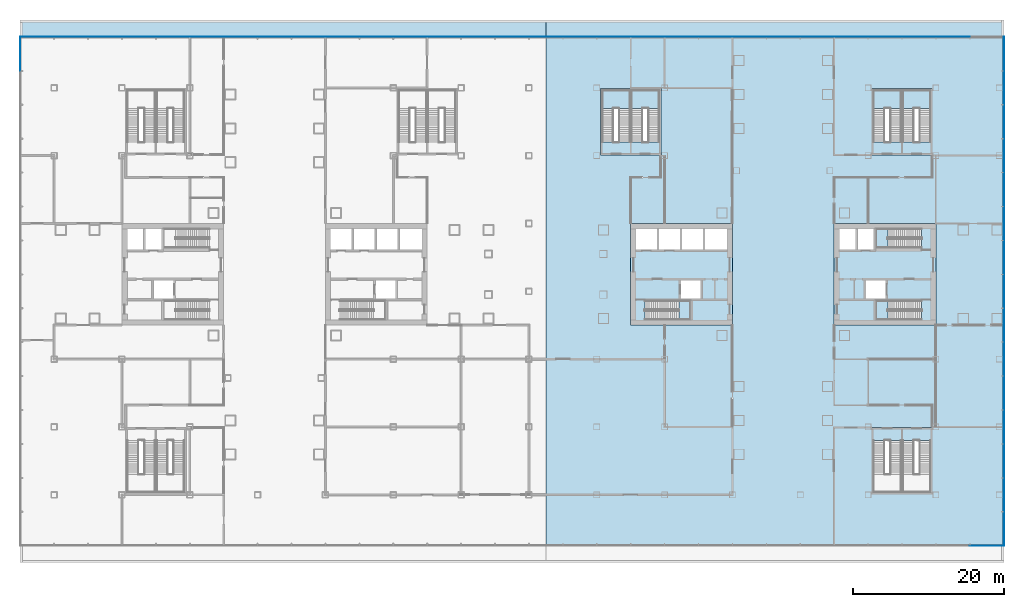
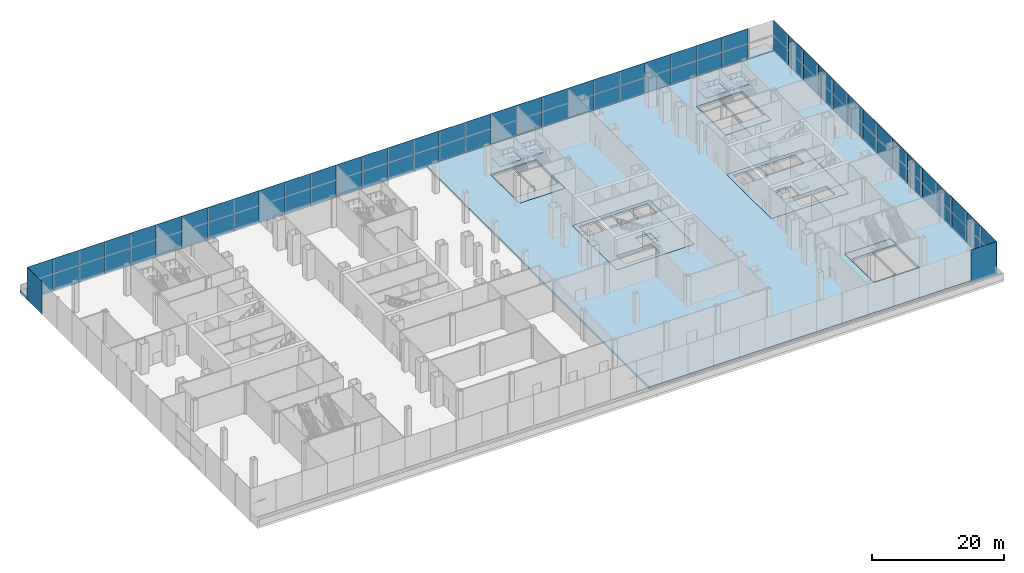
# One storey, part 20 of 38: 45 plates, 15 slabs, 11 elements without a shape of their own.
"""IFC4 building model written with IfcOpenShell, lengths in metres."""

from ifc_helpers import new_model, si_unit, direction, frame, origin, origin_2d, place, context, subcontext, project, spatial, polyline, rectangle, outline, extrude, material, layer, layer_set, type_object, element, aggregate, save


model = new_model("IFC4")

# Units and contexts
model_context = context("Model", 3, precision=1e-05, world=origin(), true_north=direction((0.0, 1.0)))
body_context = subcontext(model_context, "Body", "Model", "MODEL_VIEW")
ifc_project = project(units=[si_unit("LENGTHUNIT", "METRE"), si_unit("AREAUNIT", "SQUARE_METRE"), si_unit("VOLUMEUNIT", "CUBIC_METRE"), si_unit("PLANEANGLEUNIT", "RADIAN"), si_unit("MASSUNIT", "GRAM", prefix="KILO")], contexts=[model_context])

# Site, building, storey
site_placement = place(None, origin())
site = spatial("IfcSite", under=ifc_project, at=site_placement, CompositionType="ELEMENT")
building_placement = place(site_placement, origin())
building = spatial("IfcBuilding", under=site, at=building_placement, Name="Shamsa Quay Exchange Towers", CompositionType="ELEMENT")
storey_placement = place(building_placement, frame((0.0, 0.0, 12.5)))
storey = spatial("IfcBuildingStorey", under=building, at=storey_placement, Name="L02", CompositionType="ELEMENT", Elevation=12.5)

# Slabs
ifc_material_1 = material(Name="Concrete C50/60", Category="concrete")
ifc_layer_1 = layer(ifc_material_1, 0.39990234375)
ifc_layer_set_1 = layer_set([ifc_layer_1], Name="CORE FLOOR 400 C50/60")
slab_type_1 = type_object("IfcSlabType", Name="CORE FLOOR 400 C50/60", PredefinedType="FLOOR", material=ifc_layer_set_1)
slab_1_placement = place(storey_placement, frame((0.0, 0.0, -0.39990234375)))
element("IfcSlab", 1, at=slab_1_placement, inside=storey, type_object=slab_type_1, Name="Core floor T2A", PredefinedType="FLOOR", context=body_context, shape_type="SweptSolid", body=[
    extrude(outline(polyline([(13.5, -6.75), (27.0, -6.75), (27.0, 6.75), (13.5, 6.75), (13.5, -6.75)]), holes=[polyline([(15.400634765625, -6.050048828125), (15.400634765625, -3.5), (21.5, -3.5), (21.5, -6.050048828125), (15.400634765625, -6.050048828125)]), polyline([(14.199951171875, 3.25), (14.199951171875, 6.050048828125), (17.0, 6.050048828125), (17.0, 3.25), (14.199951171875, 3.25)]), polyline([(17.25, 3.25), (17.25, 6.050048828125), (20.050048828125, 6.050048828125), (20.050048828125, 3.25), (17.25, 3.25)]), polyline([(20.300048828125, 3.25), (20.300048828125, 6.050048828125), (23.10009765625, 6.050048828125), (23.10009765625, 3.25), (20.300048828125, 3.25)]), polyline([(23.35009765625, 3.25), (23.35009765625, 6.050048828125), (26.300048828125, 6.050048828125), (26.300048828125, 3.25), (23.35009765625, 3.25)]), polyline([(20.14990234375, -3.25), (20.14990234375, -0.75), (22.800048828125, -0.75), (22.800048828125, -3.25), (20.14990234375, -3.25)])]), origin(), (0.0, 0.0, 1.0), 0.39990234375),
])
slab_2_placement = place(storey_placement, frame((0.0, 0.0, -0.39990234375)))
element("IfcSlab", 2, at=slab_2_placement, inside=storey, type_object=slab_type_1, Name="Core floor T2B", PredefinedType="FLOOR", context=body_context, shape_type="SweptSolid", body=[
    extrude(outline(polyline([(54.0, -6.75), (54.0, 6.75), (40.5, 6.75), (40.5, -6.75), (54.0, -6.75)]), holes=[polyline([(52.099365234375, -3.5), (52.099365234375, -6.050048828125), (46.0, -6.050048828125), (46.0, -3.5), (52.099365234375, -3.5)]), polyline([(52.099365234375, 6.050048828125), (52.099365234375, 3.5), (46.0, 3.5), (46.0, 6.050048828125), (52.099365234375, 6.050048828125)]), polyline([(45.75, 3.25), (43.60009765625, 3.25), (43.60009765625, 6.050048828125), (45.75, 6.050048828125), (45.75, 3.25)]), polyline([(43.35009765625, 3.25), (41.199951171875, 3.25), (41.199951171875, 6.050048828125), (43.35009765625, 6.050048828125), (43.35009765625, 3.25)]), polyline([(47.35009765625, -3.25), (44.699951171875, -3.25), (44.699951171875, -0.75), (47.35009765625, -0.75), (47.35009765625, -3.25)])]), origin(), (0.0, 0.0, 1.0), 0.39990234375),
])
slab_3_placement = place(storey_placement, frame((0.0, 0.0, -0.39990234375)))
element("IfcSlab", 3, at=slab_3_placement, inside=storey, type_object=slab_type_1, Name="Stair floor PS3", PredefinedType="FLOOR", context=body_context, shape_type="SweptSolid", body=[
    extrude(outline(polyline([(9.5, 15.85009765625), (17.5, 15.85009765625), (17.5, 24.64990234375), (9.5, 24.64990234375), (9.5, 15.85009765625)]), holes=[polyline([(13.425048828125, 17.55078125), (9.699951171875, 17.55078125), (9.699951171875, 24.449951171875), (13.425048828125, 24.449951171875), (13.425048828125, 17.55078125)]), polyline([(17.300048828125, 17.55078125), (13.574951171875, 17.55078125), (13.574951171875, 24.449951171875), (17.300048828125, 24.449951171875), (17.300048828125, 17.55078125)])]), origin(), (0.0, 0.0, 1.0), 0.39990234375),
])
slab_4_placement = place(storey_placement, frame((0.0, 0.0, -0.39990234375)))
element("IfcSlab", 4, at=slab_4_placement, inside=storey, type_object=slab_type_1, Name="Stair floor PS4", PredefinedType="FLOOR", context=body_context, shape_type="SweptSolid", body=[
    extrude(outline(polyline([(45.5, 15.85009765625), (53.5, 15.85009765625), (53.5, 24.64990234375), (45.5, 24.64990234375), (45.5, 15.85009765625)]), holes=[polyline([(49.425048828125, 17.55078125), (45.699951171875, 17.55078125), (45.699951171875, 24.449951171875), (49.425048828125, 24.449951171875), (49.425048828125, 17.55078125)]), polyline([(53.300048828125, 17.55078125), (49.574951171875, 17.55078125), (49.574951171875, 24.449951171875), (53.300048828125, 24.449951171875), (53.300048828125, 17.55078125)])]), origin(), (0.0, 0.0, 1.0), 0.39990234375),
])
slab_5_placement = place(storey_placement, frame((0.0, 0.0, -0.39990234375)))
element("IfcSlab", 5, at=slab_5_placement, inside=storey, type_object=slab_type_1, Name="Stair floor PS6", PredefinedType="FLOOR", context=body_context, shape_type="SweptSolid", body=[
    extrude(outline(polyline([(45.5, -29.14990234375), (53.5, -29.14990234375), (53.5, -20.35009765625), (45.5, -20.35009765625), (45.5, -29.14990234375)]), holes=[polyline([(45.699951171875, -22.05078125), (49.425048828125, -22.05078125), (49.425048828125, -28.949951171875), (45.699951171875, -28.949951171875), (45.699951171875, -22.05078125)]), polyline([(49.574951171875, -22.05078125), (53.300048828125, -22.05078125), (53.300048828125, -28.949951171875), (49.574951171875, -28.949951171875), (49.574951171875, -22.05078125)])]), origin(), (0.0, 0.0, 1.0), 0.39990234375),
])

# Stair, slab
ifc_material_2 = material(Name="Concrete C40/50", Category="concrete")
stair_type_1 = type_object("IfcStairType", Name="EXIT STAIR 34 RISERS 176 MM", PredefinedType="HALF_TURN_STAIR", material=ifc_material_2)
stair_1_placement = place(storey_placement, origin())
stair_1 = element("IfcStair", 6, at=stair_1_placement, inside=storey, type_object=stair_type_1, Name="L02 Exit stair ST4", PredefinedType="HALF_TURN_STAIR")
ifc_layer_2 = layer(ifc_material_2, 0.199951171875)
ifc_layer_set_2 = layer_set([ifc_layer_2], Name="CORE STAIR LANDING")
slab_type_2 = type_object("IfcSlabType", Name="CORE STAIR LANDING", PredefinedType="LANDING", material=ifc_layer_set_2)
slab_6_placement = place(storey_placement, frame((0.0, 0.0, 2.800048828125)))
slab_6 = element("IfcSlab", 7, at=slab_6_placement, type_object=slab_type_2, Name="ST4 landing 1", PredefinedType="LANDING", context=body_context, shape_type="SweptSolid", body=[
    extrude(outline(polyline([(19.8798828125, -6.050048828125), (21.5, -6.050048828125), (21.5, -3.5), (19.8798828125, -3.5), (19.8798828125, -6.050048828125)])), origin(), (0.0, 0.0, 1.0), 0.199951171875),
])
aggregate(stair_1, [slab_6])

stair_2_placement = place(storey_placement, origin())
stair_2 = element("IfcStair", 8, at=stair_2_placement, inside=storey, type_object=stair_type_1, Name="L02 Exit stair ST5", PredefinedType="HALF_TURN_STAIR")
slab_7_placement = place(storey_placement, frame((0.0, 0.0, 2.800048828125)))
slab_7 = element("IfcSlab", 9, at=slab_7_placement, type_object=slab_type_2, Name="ST5 landing 1", PredefinedType="LANDING", context=body_context, shape_type="SweptSolid", body=[
    extrude(outline(polyline([(47.6201171875, -3.5), (46.0, -3.5), (46.0, -6.050048828125), (47.6201171875, -6.050048828125), (47.6201171875, -3.5)])), origin(), (0.0, 0.0, 1.0), 0.199951171875),
])
aggregate(stair_2, [slab_7])

stair_3_placement = place(storey_placement, origin())
stair_3 = element("IfcStair", 10, at=stair_3_placement, inside=storey, type_object=stair_type_1, Name="L02 Exit stair ST6", PredefinedType="HALF_TURN_STAIR")
slab_8_placement = place(storey_placement, frame((0.0, 0.0, 2.800048828125)))
slab_8 = element("IfcSlab", 11, at=slab_8_placement, type_object=slab_type_2, Name="ST6 landing 1", PredefinedType="LANDING", context=body_context, shape_type="SweptSolid", body=[
    extrude(outline(polyline([(47.6201171875, 6.050048828125), (46.0, 6.050048828125), (46.0, 3.5), (47.6201171875, 3.5), (47.6201171875, 6.050048828125)])), origin(), (0.0, 0.0, 1.0), 0.199951171875),
])
aggregate(stair_3, [slab_8])

stair_type_2 = type_object("IfcStairType", Name="PODIUM EXIT STAIR 34 RISERS 176 MM 1500 WIDE", PredefinedType="HALF_TURN_STAIR", material=ifc_material_2)
stair_4_placement = place(storey_placement, origin())
stair_4 = element("IfcStair", 12, at=stair_4_placement, inside=storey, type_object=stair_type_2, Name="L02 Exit stair PS3A", PredefinedType="HALF_TURN_STAIR")
slab_9_placement = place(storey_placement, frame((0.0, 0.0, 2.800048828125)))
slab_9 = element("IfcSlab", 13, at=slab_9_placement, type_object=slab_type_2, Name="PS3A landing 1", PredefinedType="LANDING", context=body_context, shape_type="SweptSolid", body=[
    extrude(outline(polyline([(13.425048828125, 22.030029296875), (13.425048828125, 24.449951171875), (9.699951171875, 24.449951171875), (9.699951171875, 22.030029296875), (13.425048828125, 22.030029296875)])), origin(), (0.0, 0.0, 1.0), 0.199951171875),
])
aggregate(stair_4, [slab_9])

stair_5_placement = place(storey_placement, origin())
stair_5 = element("IfcStair", 14, at=stair_5_placement, inside=storey, type_object=stair_type_2, Name="L02 Exit stair PS3B", PredefinedType="HALF_TURN_STAIR")
slab_10_placement = place(storey_placement, frame((0.0, 0.0, 2.800048828125)))
slab_10 = element("IfcSlab", 15, at=slab_10_placement, type_object=slab_type_2, Name="PS3B landing 1", PredefinedType="LANDING", context=body_context, shape_type="SweptSolid", body=[
    extrude(outline(polyline([(17.300048828125, 22.030029296875), (17.300048828125, 24.449951171875), (13.574951171875, 24.449951171875), (13.574951171875, 22.030029296875), (17.300048828125, 22.030029296875)])), origin(), (0.0, 0.0, 1.0), 0.199951171875),
])
aggregate(stair_5, [slab_10])

stair_6_placement = place(storey_placement, origin())
stair_6 = element("IfcStair", 16, at=stair_6_placement, inside=storey, type_object=stair_type_2, Name="L02 Exit stair PS4A", PredefinedType="HALF_TURN_STAIR")
slab_11_placement = place(storey_placement, frame((0.0, 0.0, 2.800048828125)))
slab_11 = element("IfcSlab", 17, at=slab_11_placement, type_object=slab_type_2, Name="PS4A landing 1", PredefinedType="LANDING", context=body_context, shape_type="SweptSolid", body=[
    extrude(outline(polyline([(49.425048828125, 22.030029296875), (49.425048828125, 24.449951171875), (45.699951171875, 24.449951171875), (45.699951171875, 22.030029296875), (49.425048828125, 22.030029296875)])), origin(), (0.0, 0.0, 1.0), 0.199951171875),
])
aggregate(stair_6, [slab_11])

stair_7_placement = place(storey_placement, origin())
stair_7 = element("IfcStair", 18, at=stair_7_placement, inside=storey, type_object=stair_type_2, Name="L02 Exit stair PS4B", PredefinedType="HALF_TURN_STAIR")
slab_12_placement = place(storey_placement, frame((0.0, 0.0, 2.800048828125)))
slab_12 = element("IfcSlab", 19, at=slab_12_placement, type_object=slab_type_2, Name="PS4B landing 1", PredefinedType="LANDING", context=body_context, shape_type="SweptSolid", body=[
    extrude(outline(polyline([(53.300048828125, 22.030029296875), (53.300048828125, 24.449951171875), (49.574951171875, 24.449951171875), (49.574951171875, 22.030029296875), (53.300048828125, 22.030029296875)])), origin(), (0.0, 0.0, 1.0), 0.199951171875),
])
aggregate(stair_7, [slab_12])

# Curtain wall, plates
ifc_material_3 = material(Name="Aluminium EN AW-6063 T6, black anodised", Category="aluminium")
ifc_layer_3 = layer(ifc_material_3, 0.33203125)
ifc_layer_set_3 = layer_set([ifc_layer_3], Name="CW-3 PODIUM SHOPFRONT GLAZING")
curtain_wall_type = type_object("IfcCurtainWallType", Name="CW-3 PODIUM SHOPFRONT GLAZING", PredefinedType="NOTDEFINED", material=ifc_layer_set_3)
curtain_wall_1_placement = place(storey_placement, origin())
curtain_wall_1 = element("IfcCurtainWall", 20, at=curtain_wall_1_placement, inside=storey, type_object=curtain_wall_type, Name="CW3 PODIUM-L02-F00", PredefinedType="NOTDEFINED")
ifc_material_4 = material(Name="Glass, laminated, impact rated, clear low iron", Category="glass")
ifc_layer_4 = layer(ifc_material_4, 0.031982421875)
ifc_layer_set_4 = layer_set([ifc_layer_4], Name="CW-3 SHOPFRONT GLASS 32")
plate_type = type_object("IfcPlateType", Name="CW-3 SHOPFRONT GLASS 32", PredefinedType="CURTAIN_PANEL", material=ifc_layer_set_4)
plate_1_placement = place(storey_placement, frame((63.01611328125, -33.75244140625, -0.35009765625), z_axis=(0.0, 0.0, 1.0), x_axis=(0.0, 1.0, 0.0)))
plate_1 = element("IfcPlate", 21, at=plate_1_placement, type_object=plate_type, Name="CW3 glass panel", PredefinedType="CURTAIN_PANEL", context=body_context, shape_type="SweptSolid", body=[
    extrude(rectangle(XDim=4.4951171875, YDim=0.031982421875, at=origin_2d()), origin(), (0.0, 0.0, 1.0), 6.0),
])
plate_2_placement = place(storey_placement, frame((63.01611328125, -29.25, -0.35009765625), z_axis=(0.0, 0.0, 1.0), x_axis=(0.0, 1.0, 0.0)))
plate_2 = element("IfcPlate", 22, at=plate_2_placement, type_object=plate_type, Name="CW3 glass panel", PredefinedType="CURTAIN_PANEL", context=body_context, shape_type="SweptSolid", body=[
    extrude(rectangle(XDim=4.489990234375, YDim=0.031982421875, at=origin_2d()), origin(), (0.0, 0.0, 1.0), 6.0),
])
plate_3_placement = place(storey_placement, frame((63.01611328125, -24.75, -0.35009765625), z_axis=(0.0, 0.0, 1.0), x_axis=(0.0, 1.0, 0.0)))
plate_3 = element("IfcPlate", 23, at=plate_3_placement, type_object=plate_type, Name="CW3 glass panel", PredefinedType="CURTAIN_PANEL", context=body_context, shape_type="SweptSolid", body=[
    extrude(rectangle(XDim=4.489990234375, YDim=0.031982421875, at=origin_2d()), origin(), (0.0, 0.0, 1.0), 6.0),
])
plate_4_placement = place(storey_placement, frame((63.01611328125, -20.25, -0.35009765625), z_axis=(0.0, 0.0, 1.0), x_axis=(0.0, 1.0, 0.0)))
plate_4 = element("IfcPlate", 24, at=plate_4_placement, type_object=plate_type, Name="CW3 glass panel", PredefinedType="CURTAIN_PANEL", context=body_context, shape_type="SweptSolid", body=[
    extrude(rectangle(XDim=4.489990234375, YDim=0.031982421875, at=origin_2d()), origin(), (0.0, 0.0, 1.0), 6.0),
])
plate_5_placement = place(storey_placement, frame((63.01611328125, -15.75, -0.35009765625), z_axis=(0.0, 0.0, 1.0), x_axis=(0.0, 1.0, 0.0)))
plate_5 = element("IfcPlate", 25, at=plate_5_placement, type_object=plate_type, Name="CW3 glass panel", PredefinedType="CURTAIN_PANEL", context=body_context, shape_type="SweptSolid", body=[
    extrude(rectangle(XDim=4.489990234375, YDim=0.031982421875, at=origin_2d()), origin(), (0.0, 0.0, 1.0), 6.0),
])
plate_6_placement = place(storey_placement, frame((63.01611328125, -11.25, -0.35009765625), z_axis=(0.0, 0.0, 1.0), x_axis=(0.0, 1.0, 0.0)))
plate_6 = element("IfcPlate", 26, at=plate_6_placement, type_object=plate_type, Name="CW3 glass panel", PredefinedType="CURTAIN_PANEL", context=body_context, shape_type="SweptSolid", body=[
    extrude(rectangle(XDim=4.489990234375, YDim=0.031982421875, at=origin_2d()), origin(), (0.0, 0.0, 1.0), 6.0),
])
plate_7_placement = place(storey_placement, frame((63.01611328125, -6.75, -0.35009765625), z_axis=(0.0, 0.0, 1.0), x_axis=(0.0, 1.0, 0.0)))
plate_7 = element("IfcPlate", 27, at=plate_7_placement, type_object=plate_type, Name="CW3 glass panel", PredefinedType="CURTAIN_PANEL", context=body_context, shape_type="SweptSolid", body=[
    extrude(rectangle(XDim=4.489990234375, YDim=0.031982421875, at=origin_2d()), origin(), (0.0, 0.0, 1.0), 6.0),
])
plate_8_placement = place(storey_placement, frame((63.01611328125, -2.25, -0.35009765625), z_axis=(0.0, 0.0, 1.0), x_axis=(0.0, 1.0, 0.0)))
plate_8 = element("IfcPlate", 28, at=plate_8_placement, type_object=plate_type, Name="CW3 glass panel", PredefinedType="CURTAIN_PANEL", context=body_context, shape_type="SweptSolid", body=[
    extrude(rectangle(XDim=4.489990234375, YDim=0.031982421875, at=origin_2d()), origin(), (0.0, 0.0, 1.0), 6.0),
])
plate_9_placement = place(storey_placement, frame((63.01611328125, 2.25, -0.35009765625), z_axis=(0.0, 0.0, 1.0), x_axis=(0.0, 1.0, 0.0)))
plate_9 = element("IfcPlate", 29, at=plate_9_placement, type_object=plate_type, Name="CW3 glass panel", PredefinedType="CURTAIN_PANEL", context=body_context, shape_type="SweptSolid", body=[
    extrude(rectangle(XDim=4.489990234375, YDim=0.031982421875, at=origin_2d()), origin(), (0.0, 0.0, 1.0), 6.0),
])
plate_10_placement = place(storey_placement, frame((63.01611328125, 6.75, -0.35009765625), z_axis=(0.0, 0.0, 1.0), x_axis=(0.0, 1.0, 0.0)))
plate_10 = element("IfcPlate", 30, at=plate_10_placement, type_object=plate_type, Name="CW3 glass panel", PredefinedType="CURTAIN_PANEL", context=body_context, shape_type="SweptSolid", body=[
    extrude(rectangle(XDim=4.489990234375, YDim=0.031982421875, at=origin_2d()), origin(), (0.0, 0.0, 1.0), 6.0),
])
plate_11_placement = place(storey_placement, frame((63.01611328125, 11.25, -0.35009765625), z_axis=(0.0, 0.0, 1.0), x_axis=(0.0, 1.0, 0.0)))
plate_11 = element("IfcPlate", 31, at=plate_11_placement, type_object=plate_type, Name="CW3 glass panel", PredefinedType="CURTAIN_PANEL", context=body_context, shape_type="SweptSolid", body=[
    extrude(rectangle(XDim=4.489990234375, YDim=0.031982421875, at=origin_2d()), origin(), (0.0, 0.0, 1.0), 6.0),
])
plate_12_placement = place(storey_placement, frame((63.01611328125, 15.75, -0.35009765625), z_axis=(0.0, 0.0, 1.0), x_axis=(0.0, 1.0, 0.0)))
plate_12 = element("IfcPlate", 32, at=plate_12_placement, type_object=plate_type, Name="CW3 glass panel", PredefinedType="CURTAIN_PANEL", context=body_context, shape_type="SweptSolid", body=[
    extrude(rectangle(XDim=4.489990234375, YDim=0.031982421875, at=origin_2d()), origin(), (0.0, 0.0, 1.0), 6.0),
])
plate_13_placement = place(storey_placement, frame((63.01611328125, 20.25, -0.35009765625), z_axis=(0.0, 0.0, 1.0), x_axis=(0.0, 1.0, 0.0)))
plate_13 = element("IfcPlate", 33, at=plate_13_placement, type_object=plate_type, Name="CW3 glass panel", PredefinedType="CURTAIN_PANEL", context=body_context, shape_type="SweptSolid", body=[
    extrude(rectangle(XDim=4.489990234375, YDim=0.031982421875, at=origin_2d()), origin(), (0.0, 0.0, 1.0), 6.0),
])
plate_14_placement = place(storey_placement, frame((63.01611328125, 24.75, -0.35009765625), z_axis=(0.0, 0.0, 1.0), x_axis=(0.0, 1.0, 0.0)))
plate_14 = element("IfcPlate", 34, at=plate_14_placement, type_object=plate_type, Name="CW3 glass panel", PredefinedType="CURTAIN_PANEL", context=body_context, shape_type="SweptSolid", body=[
    extrude(rectangle(XDim=4.489990234375, YDim=0.031982421875, at=origin_2d()), origin(), (0.0, 0.0, 1.0), 6.0),
])
plate_15_placement = place(storey_placement, frame((63.01611328125, 29.25244140625, -0.35009765625), z_axis=(0.0, 0.0, 1.0), x_axis=(0.0, 1.0, 0.0)))
plate_15 = element("IfcPlate", 35, at=plate_15_placement, type_object=plate_type, Name="CW3 glass panel", PredefinedType="CURTAIN_PANEL", context=body_context, shape_type="SweptSolid", body=[
    extrude(rectangle(XDim=4.4951171875, YDim=0.031982421875, at=origin_2d()), origin(), (0.0, 0.0, 1.0), 6.0),
])
aggregate(curtain_wall_1, [plate_1, plate_2, plate_3, plate_4, plate_5, plate_6, plate_7, plate_8, plate_9, plate_10, plate_11, plate_12, plate_13, plate_14, plate_15])

curtain_wall_2_placement = place(storey_placement, origin())
curtain_wall_2 = element("IfcCurtainWall", 36, at=curtain_wall_2_placement, inside=storey, type_object=curtain_wall_type, Name="CW3 PODIUM-L02-F01", PredefinedType="NOTDEFINED")
plate_16_placement = place(storey_placement, frame((56.25, 31.51611328125, -0.35009765625), z_axis=(0.0, 0.0, 1.0), x_axis=(-1.0, 0.0, 0.0)))
plate_16 = element("IfcPlate", 37, at=plate_16_placement, type_object=plate_type, Name="CW3 glass panel", PredefinedType="CURTAIN_PANEL", context=body_context, shape_type="SweptSolid", body=[
    extrude(rectangle(XDim=4.489990234375, YDim=0.031982421875, at=origin_2d()), origin(), (0.0, 0.0, 1.0), 6.0),
])
plate_17_placement = place(storey_placement, frame((51.75, 31.51611328125, -0.35009765625), z_axis=(0.0, 0.0, 1.0), x_axis=(-1.0, 0.0, 0.0)))
plate_17 = element("IfcPlate", 38, at=plate_17_placement, type_object=plate_type, Name="CW3 glass panel", PredefinedType="CURTAIN_PANEL", context=body_context, shape_type="SweptSolid", body=[
    extrude(rectangle(XDim=4.489990234375, YDim=0.031982421875, at=origin_2d()), origin(), (0.0, 0.0, 1.0), 6.0),
])
plate_18_placement = place(storey_placement, frame((47.25, 31.51611328125, -0.35009765625), z_axis=(0.0, 0.0, 1.0), x_axis=(-1.0, 0.0, 0.0)))
plate_18 = element("IfcPlate", 39, at=plate_18_placement, type_object=plate_type, Name="CW3 glass panel", PredefinedType="CURTAIN_PANEL", context=body_context, shape_type="SweptSolid", body=[
    extrude(rectangle(XDim=4.489990234375, YDim=0.031982421875, at=origin_2d()), origin(), (0.0, 0.0, 1.0), 6.0),
])
plate_19_placement = place(storey_placement, frame((42.75, 31.51611328125, -0.35009765625), z_axis=(0.0, 0.0, 1.0), x_axis=(-1.0, 0.0, 0.0)))
plate_19 = element("IfcPlate", 40, at=plate_19_placement, type_object=plate_type, Name="CW3 glass panel", PredefinedType="CURTAIN_PANEL", context=body_context, shape_type="SweptSolid", body=[
    extrude(rectangle(XDim=4.489990234375, YDim=0.031982421875, at=origin_2d()), origin(), (0.0, 0.0, 1.0), 6.0),
])
plate_20_placement = place(storey_placement, frame((38.25, 31.51611328125, -0.35009765625), z_axis=(0.0, 0.0, 1.0), x_axis=(-1.0, 0.0, 0.0)))
plate_20 = element("IfcPlate", 41, at=plate_20_placement, type_object=plate_type, Name="CW3 glass panel", PredefinedType="CURTAIN_PANEL", context=body_context, shape_type="SweptSolid", body=[
    extrude(rectangle(XDim=4.489990234375, YDim=0.031982421875, at=origin_2d()), origin(), (0.0, 0.0, 1.0), 6.0),
])
plate_21_placement = place(storey_placement, frame((33.75, 31.51611328125, -0.35009765625), z_axis=(0.0, 0.0, 1.0), x_axis=(-1.0, 0.0, 0.0)))
plate_21 = element("IfcPlate", 42, at=plate_21_placement, type_object=plate_type, Name="CW3 glass panel", PredefinedType="CURTAIN_PANEL", context=body_context, shape_type="SweptSolid", body=[
    extrude(rectangle(XDim=4.489990234375, YDim=0.031982421875, at=origin_2d()), origin(), (0.0, 0.0, 1.0), 6.0),
])
plate_22_placement = place(storey_placement, frame((29.25, 31.51611328125, -0.35009765625), z_axis=(0.0, 0.0, 1.0), x_axis=(-1.0, 0.0, 0.0)))
plate_22 = element("IfcPlate", 43, at=plate_22_placement, type_object=plate_type, Name="CW3 glass panel", PredefinedType="CURTAIN_PANEL", context=body_context, shape_type="SweptSolid", body=[
    extrude(rectangle(XDim=4.489990234375, YDim=0.031982421875, at=origin_2d()), origin(), (0.0, 0.0, 1.0), 6.0),
])
plate_23_placement = place(storey_placement, frame((24.75, 31.51611328125, -0.35009765625), z_axis=(0.0, 0.0, 1.0), x_axis=(-1.0, 0.0, 0.0)))
plate_23 = element("IfcPlate", 44, at=plate_23_placement, type_object=plate_type, Name="CW3 glass panel", PredefinedType="CURTAIN_PANEL", context=body_context, shape_type="SweptSolid", body=[
    extrude(rectangle(XDim=4.489990234375, YDim=0.031982421875, at=origin_2d()), origin(), (0.0, 0.0, 1.0), 6.0),
])
plate_24_placement = place(storey_placement, frame((20.25, 31.51611328125, -0.35009765625), z_axis=(0.0, 0.0, 1.0), x_axis=(-1.0, 0.0, 0.0)))
plate_24 = element("IfcPlate", 45, at=plate_24_placement, type_object=plate_type, Name="CW3 glass panel", PredefinedType="CURTAIN_PANEL", context=body_context, shape_type="SweptSolid", body=[
    extrude(rectangle(XDim=4.489990234375, YDim=0.031982421875, at=origin_2d()), origin(), (0.0, 0.0, 1.0), 6.0),
])
plate_25_placement = place(storey_placement, frame((15.75, 31.51611328125, -0.35009765625), z_axis=(0.0, 0.0, 1.0), x_axis=(-1.0, 0.0, 0.0)))
plate_25 = element("IfcPlate", 46, at=plate_25_placement, type_object=plate_type, Name="CW3 glass panel", PredefinedType="CURTAIN_PANEL", context=body_context, shape_type="SweptSolid", body=[
    extrude(rectangle(XDim=4.489990234375, YDim=0.031982421875, at=origin_2d()), origin(), (0.0, 0.0, 1.0), 6.0),
])
plate_26_placement = place(storey_placement, frame((11.25, 31.51611328125, -0.35009765625), z_axis=(0.0, 0.0, 1.0), x_axis=(-1.0, 0.0, 0.0)))
plate_26 = element("IfcPlate", 47, at=plate_26_placement, type_object=plate_type, Name="CW3 glass panel", PredefinedType="CURTAIN_PANEL", context=body_context, shape_type="SweptSolid", body=[
    extrude(rectangle(XDim=4.489990234375, YDim=0.031982421875, at=origin_2d()), origin(), (0.0, 0.0, 1.0), 6.0),
])
plate_27_placement = place(storey_placement, frame((6.75, 31.51611328125, -0.35009765625), z_axis=(0.0, 0.0, 1.0), x_axis=(-1.0, 0.0, 0.0)))
plate_27 = element("IfcPlate", 48, at=plate_27_placement, type_object=plate_type, Name="CW3 glass panel", PredefinedType="CURTAIN_PANEL", context=body_context, shape_type="SweptSolid", body=[
    extrude(rectangle(XDim=4.489990234375, YDim=0.031982421875, at=origin_2d()), origin(), (0.0, 0.0, 1.0), 6.0),
])
plate_28_placement = place(storey_placement, frame((2.25, 31.51611328125, -0.35009765625), z_axis=(0.0, 0.0, 1.0), x_axis=(-1.0, 0.0, 0.0)))
plate_28 = element("IfcPlate", 49, at=plate_28_placement, type_object=plate_type, Name="CW3 glass panel", PredefinedType="CURTAIN_PANEL", context=body_context, shape_type="SweptSolid", body=[
    extrude(rectangle(XDim=4.489990234375, YDim=0.031982421875, at=origin_2d()), origin(), (0.0, 0.0, 1.0), 6.0),
])
plate_29_placement = place(storey_placement, frame((-2.25, 31.51611328125, -0.35009765625), z_axis=(0.0, 0.0, 1.0), x_axis=(-1.0, 0.0, 0.0)))
plate_29 = element("IfcPlate", 50, at=plate_29_placement, type_object=plate_type, Name="CW3 glass panel", PredefinedType="CURTAIN_PANEL", context=body_context, shape_type="SweptSolid", body=[
    extrude(rectangle(XDim=4.489990234375, YDim=0.031982421875, at=origin_2d()), origin(), (0.0, 0.0, 1.0), 6.0),
])
plate_30_placement = place(storey_placement, frame((-6.75, 31.51611328125, -0.35009765625), z_axis=(0.0, 0.0, 1.0), x_axis=(-1.0, 0.0, 0.0)))
plate_30 = element("IfcPlate", 51, at=plate_30_placement, type_object=plate_type, Name="CW3 glass panel", PredefinedType="CURTAIN_PANEL", context=body_context, shape_type="SweptSolid", body=[
    extrude(rectangle(XDim=4.489990234375, YDim=0.031982421875, at=origin_2d()), origin(), (0.0, 0.0, 1.0), 6.0),
])
plate_31_placement = place(storey_placement, frame((-11.25, 31.51611328125, -0.35009765625), z_axis=(0.0, 0.0, 1.0), x_axis=(-1.0, 0.0, 0.0)))
plate_31 = element("IfcPlate", 52, at=plate_31_placement, type_object=plate_type, Name="CW3 glass panel", PredefinedType="CURTAIN_PANEL", context=body_context, shape_type="SweptSolid", body=[
    extrude(rectangle(XDim=4.489990234375, YDim=0.031982421875, at=origin_2d()), origin(), (0.0, 0.0, 1.0), 6.0),
])
plate_32_placement = place(storey_placement, frame((-15.75, 31.51611328125, -0.35009765625), z_axis=(0.0, 0.0, 1.0), x_axis=(-1.0, 0.0, 0.0)))
plate_32 = element("IfcPlate", 53, at=plate_32_placement, type_object=plate_type, Name="CW3 glass panel", PredefinedType="CURTAIN_PANEL", context=body_context, shape_type="SweptSolid", body=[
    extrude(rectangle(XDim=4.489990234375, YDim=0.031982421875, at=origin_2d()), origin(), (0.0, 0.0, 1.0), 6.0),
])
plate_33_placement = place(storey_placement, frame((-20.25, 31.51611328125, -0.35009765625), z_axis=(0.0, 0.0, 1.0), x_axis=(-1.0, 0.0, 0.0)))
plate_33 = element("IfcPlate", 54, at=plate_33_placement, type_object=plate_type, Name="CW3 glass panel", PredefinedType="CURTAIN_PANEL", context=body_context, shape_type="SweptSolid", body=[
    extrude(rectangle(XDim=4.489990234375, YDim=0.031982421875, at=origin_2d()), origin(), (0.0, 0.0, 1.0), 6.0),
])
plate_34_placement = place(storey_placement, frame((-24.75, 31.51611328125, -0.35009765625), z_axis=(0.0, 0.0, 1.0), x_axis=(-1.0, 0.0, 0.0)))
plate_34 = element("IfcPlate", 55, at=plate_34_placement, type_object=plate_type, Name="CW3 glass panel", PredefinedType="CURTAIN_PANEL", context=body_context, shape_type="SweptSolid", body=[
    extrude(rectangle(XDim=4.489990234375, YDim=0.031982421875, at=origin_2d()), origin(), (0.0, 0.0, 1.0), 6.0),
])
plate_35_placement = place(storey_placement, frame((-29.25, 31.51611328125, -0.35009765625), z_axis=(0.0, 0.0, 1.0), x_axis=(-1.0, 0.0, 0.0)))
plate_35 = element("IfcPlate", 56, at=plate_35_placement, type_object=plate_type, Name="CW3 glass panel", PredefinedType="CURTAIN_PANEL", context=body_context, shape_type="SweptSolid", body=[
    extrude(rectangle(XDim=4.489990234375, YDim=0.031982421875, at=origin_2d()), origin(), (0.0, 0.0, 1.0), 6.0),
])
plate_36_placement = place(storey_placement, frame((-33.75, 31.51611328125, -0.35009765625), z_axis=(0.0, 0.0, 1.0), x_axis=(-1.0, 0.0, 0.0)))
plate_36 = element("IfcPlate", 57, at=plate_36_placement, type_object=plate_type, Name="CW3 glass panel", PredefinedType="CURTAIN_PANEL", context=body_context, shape_type="SweptSolid", body=[
    extrude(rectangle(XDim=4.489990234375, YDim=0.031982421875, at=origin_2d()), origin(), (0.0, 0.0, 1.0), 6.0),
])
plate_37_placement = place(storey_placement, frame((-38.25, 31.51611328125, -0.35009765625), z_axis=(0.0, 0.0, 1.0), x_axis=(-1.0, 0.0, 0.0)))
plate_37 = element("IfcPlate", 58, at=plate_37_placement, type_object=plate_type, Name="CW3 glass panel", PredefinedType="CURTAIN_PANEL", context=body_context, shape_type="SweptSolid", body=[
    extrude(rectangle(XDim=4.489990234375, YDim=0.031982421875, at=origin_2d()), origin(), (0.0, 0.0, 1.0), 6.0),
])
plate_38_placement = place(storey_placement, frame((-42.75, 31.51611328125, -0.35009765625), z_axis=(0.0, 0.0, 1.0), x_axis=(-1.0, 0.0, 0.0)))
plate_38 = element("IfcPlate", 59, at=plate_38_placement, type_object=plate_type, Name="CW3 glass panel", PredefinedType="CURTAIN_PANEL", context=body_context, shape_type="SweptSolid", body=[
    extrude(rectangle(XDim=4.489990234375, YDim=0.031982421875, at=origin_2d()), origin(), (0.0, 0.0, 1.0), 6.0),
])
plate_39_placement = place(storey_placement, frame((-47.25, 31.51611328125, -0.35009765625), z_axis=(0.0, 0.0, 1.0), x_axis=(-1.0, 0.0, 0.0)))
plate_39 = element("IfcPlate", 60, at=plate_39_placement, type_object=plate_type, Name="CW3 glass panel", PredefinedType="CURTAIN_PANEL", context=body_context, shape_type="SweptSolid", body=[
    extrude(rectangle(XDim=4.489990234375, YDim=0.031982421875, at=origin_2d()), origin(), (0.0, 0.0, 1.0), 6.0),
])
plate_40_placement = place(storey_placement, frame((-51.75, 31.51611328125, -0.35009765625), z_axis=(0.0, 0.0, 1.0), x_axis=(-1.0, 0.0, 0.0)))
plate_40 = element("IfcPlate", 61, at=plate_40_placement, type_object=plate_type, Name="CW3 glass panel", PredefinedType="CURTAIN_PANEL", context=body_context, shape_type="SweptSolid", body=[
    extrude(rectangle(XDim=4.489990234375, YDim=0.031982421875, at=origin_2d()), origin(), (0.0, 0.0, 1.0), 6.0),
])
plate_41_placement = place(storey_placement, frame((-56.25, 31.51611328125, -0.35009765625), z_axis=(0.0, 0.0, 1.0), x_axis=(-1.0, 0.0, 0.0)))
plate_41 = element("IfcPlate", 62, at=plate_41_placement, type_object=plate_type, Name="CW3 glass panel", PredefinedType="CURTAIN_PANEL", context=body_context, shape_type="SweptSolid", body=[
    extrude(rectangle(XDim=4.489990234375, YDim=0.031982421875, at=origin_2d()), origin(), (0.0, 0.0, 1.0), 6.0),
])
plate_42_placement = place(storey_placement, frame((-60.75, 31.51611328125, -0.35009765625), z_axis=(0.0, 0.0, 1.0), x_axis=(-1.0, 0.0, 0.0)))
plate_42 = element("IfcPlate", 63, at=plate_42_placement, type_object=plate_type, Name="CW3 glass panel", PredefinedType="CURTAIN_PANEL", context=body_context, shape_type="SweptSolid", body=[
    extrude(rectangle(XDim=4.489990234375, YDim=0.031982421875, at=origin_2d()), origin(), (0.0, 0.0, 1.0), 6.0),
])
plate_43_placement = place(storey_placement, frame((-65.25244140625, 31.51611328125, -0.35009765625), z_axis=(0.0, 0.0, 1.0), x_axis=(-1.0, 0.0, 0.0)))
plate_43 = element("IfcPlate", 64, at=plate_43_placement, type_object=plate_type, Name="CW3 glass panel", PredefinedType="CURTAIN_PANEL", context=body_context, shape_type="SweptSolid", body=[
    extrude(rectangle(XDim=4.4951171875, YDim=0.031982421875, at=origin_2d()), origin(), (0.0, 0.0, 1.0), 6.0),
])
aggregate(curtain_wall_2, [plate_16, plate_17, plate_18, plate_19, plate_20, plate_21, plate_22, plate_23, plate_24, plate_25, plate_26, plate_27, plate_28, plate_29, plate_30, plate_31, plate_32, plate_33, plate_34, plate_35, plate_36, plate_37, plate_38, plate_39, plate_40, plate_41, plate_42, plate_43])

# Curtain wall, plate
curtain_wall_3_placement = place(storey_placement, origin())
curtain_wall_3 = element("IfcCurtainWall", 65, at=curtain_wall_3_placement, inside=storey, type_object=curtain_wall_type, Name="CW3 PODIUM-L02-F02", PredefinedType="NOTDEFINED")
plate_44_placement = place(storey_placement, frame((-67.51611328125, 29.25244140625, -0.35009765625), z_axis=(0.0, 0.0, 1.0), x_axis=(0.0, -1.0, 0.0)))
plate_44 = element("IfcPlate", 66, at=plate_44_placement, type_object=plate_type, Name="CW3 glass panel", PredefinedType="CURTAIN_PANEL", context=body_context, shape_type="SweptSolid", body=[
    extrude(rectangle(XDim=4.4951171875, YDim=0.031982421875, at=origin_2d()), origin(), (0.0, 0.0, 1.0), 6.0),
])
aggregate(curtain_wall_3, [plate_44])

curtain_wall_4_placement = place(storey_placement, origin())
curtain_wall_4 = element("IfcCurtainWall", 67, at=curtain_wall_4_placement, inside=storey, type_object=curtain_wall_type, Name="CW3 PODIUM-L02-F03", PredefinedType="NOTDEFINED")
plate_45_placement = place(storey_placement, frame((60.75244140625, -36.01611328125, -0.35009765625)))
plate_45 = element("IfcPlate", 68, at=plate_45_placement, type_object=plate_type, Name="CW3 glass panel", PredefinedType="CURTAIN_PANEL", context=body_context, shape_type="SweptSolid", body=[
    extrude(rectangle(XDim=4.4951171875, YDim=0.031982421875, at=origin_2d()), origin(), (0.0, 0.0, 1.0), 6.0),
])
aggregate(curtain_wall_4, [plate_45])

# Slabs
ifc_layer_5 = layer(ifc_material_2, 0.39990234375)
ifc_layer_set_5 = layer_set([ifc_layer_5], Name="Flat slab 400")
slab_type_3 = type_object("IfcSlabType", Name="Flat slab 400", PredefinedType="FLOOR", material=ifc_layer_set_5)
slab_13_placement = place(storey_placement, frame((0.0, 0.0, -0.39990234375)))
element("IfcSlab", 69, at=slab_13_placement, inside=storey, type_object=slab_type_3, Name="Flat slab PD L02 2", PredefinedType="FLOOR", context=body_context, shape_type="SweptSolid", body=[
    extrude(outline(polyline([(63.0, 31.5), (2.25, 31.5), (2.25, -36.0), (63.0, -36.0), (63.0, 31.5)]), holes=[polyline([(45.5, -29.14990234375), (53.5, -29.14990234375), (53.5, -20.35009765625), (45.5, -20.35009765625), (45.5, -29.14990234375)]), polyline([(13.5, 6.75), (13.5, -6.75), (27.0, -6.75), (27.0, 6.75), (13.5, 6.75)]), polyline([(40.5, -6.75), (54.0, -6.75), (54.0, 6.75), (40.5, 6.75), (40.5, -6.75)]), polyline([(9.5, 24.64990234375), (9.5, 15.85009765625), (17.5, 15.85009765625), (17.5, 24.64990234375), (9.5, 24.64990234375)]), polyline([(45.5, 24.64990234375), (45.5, 15.85009765625), (53.5, 15.85009765625), (53.5, 24.64990234375), (45.5, 24.64990234375)])]), origin(), (0.0, 0.0, 1.0), 0.39990234375),
])
ifc_layer_6 = layer(ifc_material_2, 0.39990234375)
ifc_layer_set_6 = layer_set([ifc_layer_6], Name="Terrace roof slab 400")
slab_type_4 = type_object("IfcSlabType", Name="Terrace roof slab 400", PredefinedType="ROOF", material=ifc_layer_set_6)
slab_14_placement = place(storey_placement, frame((0.0, 0.0, -0.39990234375)))
element("IfcSlab", 70, at=slab_14_placement, inside=storey, type_object=slab_type_4, Name="Roof slab PD over L01 2", PredefinedType="ROOF", context=body_context, shape_type="SweptSolid", body=[
    extrude(outline(polyline([(2.25, 33.75), (-67.5, 33.75), (-67.5, 31.5), (2.25, 31.5), (2.25, 33.75)])), origin(), (0.0, 0.0, 1.0), 0.39990234375),
])
slab_15_placement = place(storey_placement, frame((0.0, 0.0, -0.39990234375)))
element("IfcSlab", 71, at=slab_15_placement, inside=storey, type_object=slab_type_4, Name="Roof slab PD over L01 4", PredefinedType="ROOF", context=body_context, shape_type="SweptSolid", body=[
    extrude(outline(polyline([(63.0, 33.75), (2.25, 33.75), (2.25, 31.5), (63.0, 31.5), (63.0, 33.75)])), origin(), (0.0, 0.0, 1.0), 0.39990234375),
])

save(model, "model.ifc")
